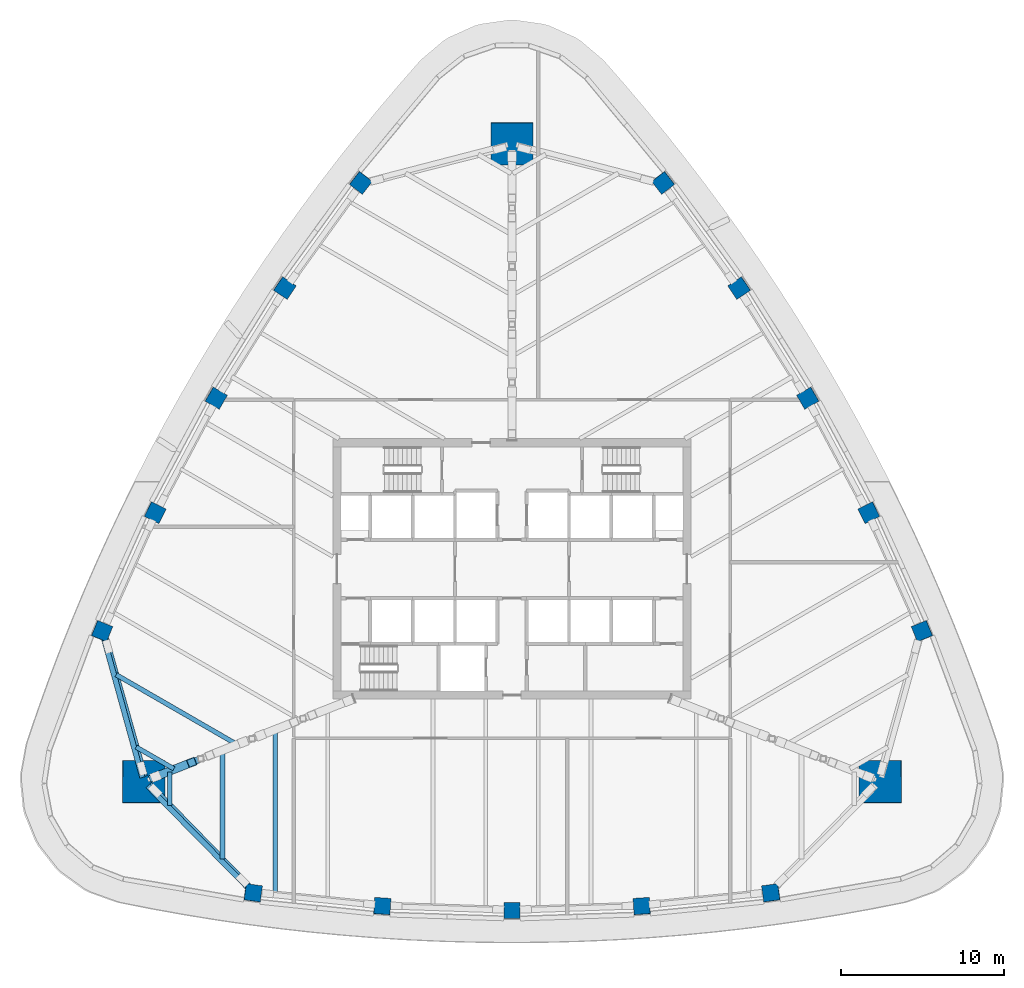
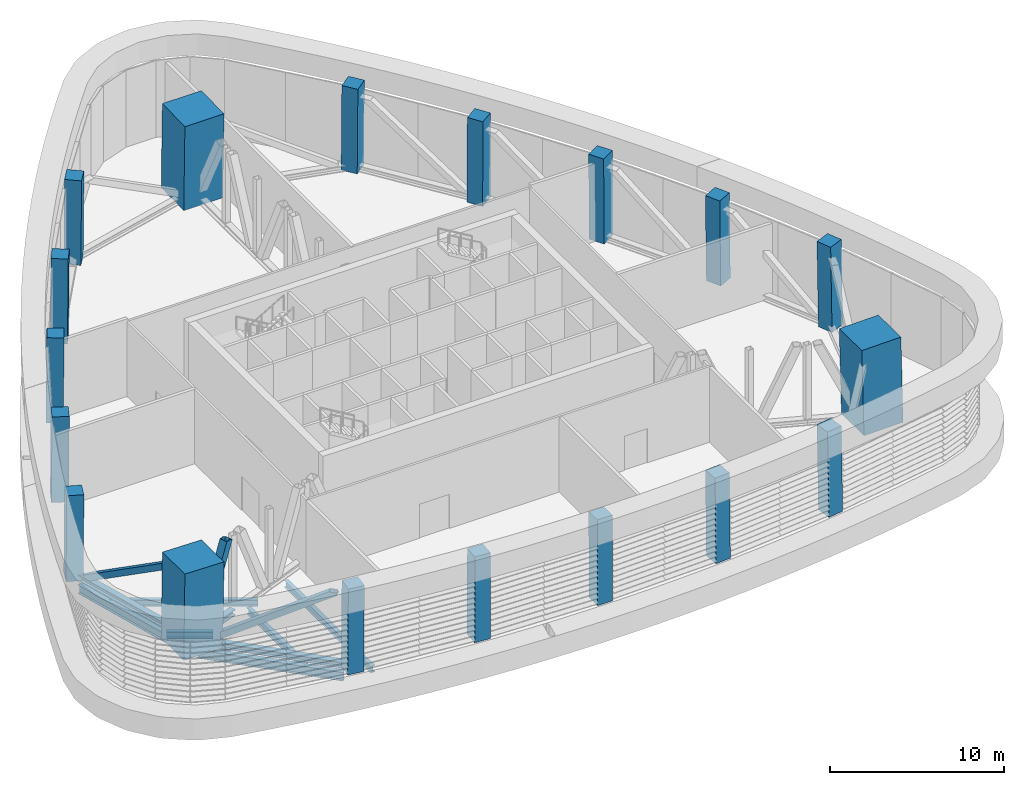
# One storey, part 1 of 18: 18 columns, 10 beams, 3 members.
"""IFC4 building model written with IfcOpenShell, lengths in metres."""

from ifc_helpers import new_model, si_unit, direction, frame, origin, origin_2d, place, context, subcontext, project, spatial, rectangle, hollow_rectangle, i_section, extrude, clip, halfspace, material, material_profile, profile_set, type_object, element, save


model = new_model("IFC4")

# Units and contexts
model_context = context("Model", 3, precision=1e-05, world=origin(), true_north=direction((0.0, 1.0)))
body_context = subcontext(model_context, "Body", "Model", "MODEL_VIEW")
ifc_project = project(units=[si_unit("LENGTHUNIT", "METRE"), si_unit("AREAUNIT", "SQUARE_METRE"), si_unit("VOLUMEUNIT", "CUBIC_METRE"), si_unit("PLANEANGLEUNIT", "RADIAN"), si_unit("MASSUNIT", "GRAM", prefix="KILO")], contexts=[model_context])

# Site, building, storey
site_placement = place(None, origin())
site = spatial("IfcSite", under=ifc_project, at=site_placement, CompositionType="ELEMENT")
building_placement = place(site_placement, origin())
building = spatial("IfcBuilding", under=site, at=building_placement, Name="Sierra Prisma Convention Tower", CompositionType="ELEMENT")
storey_placement = place(building_placement, frame((0.0, 0.0, 213.800048828125)))
storey = spatial("IfcBuildingStorey", under=building, at=storey_placement, Name="L48", CompositionType="ELEMENT", Elevation=213.800048828125)

# Columns
ifc_material_1 = material(Name="Concrete C60/75", Category="concrete")
ifc_material_profile_1 = material_profile(ifc_material_1, rectangle(XDim=2.60009765625, YDim=2.60009765625, at=origin_2d()), Name="Mega column RC 2600 C60/75")
ifc_profile_set_1 = profile_set([ifc_material_profile_1], Name="Concrete C60/75")
column_type_1 = type_object("IfcColumnType", Name="Mega column RC 2600 C60/75", PredefinedType="COLUMN", material=ifc_profile_set_1)
column_1_placement = place(storey_placement, frame((22.627685546875, -13.06396484375, 0.0), z_axis=(-0.018631757772, 0.01073970317, 0.999768731447), x_axis=(0.999826413735, 0.000200134289, 0.018630682863)))
element("IfcColumn", 1, at=column_1_placement, inside=storey, type_object=column_type_1, Name="Mega column SE L48", PredefinedType="COLUMN", context=body_context, shape_type="SweptSolid", body=[
    clip(clip(extrude(rectangle(XDim=2.60009765625, YDim=2.60009765625, at=origin_2d()), origin(), (0.0, 0.0, 1.0), 6.00146484375), halfspace(frame((0.0, 0.0, 0.009765625)), True)), halfspace(frame((0.0, 0.0, 5.998291015625)), False)),
])
column_2_placement = place(storey_placement, frame((0.0, 26.128173828125, 0.0), z_axis=(0.0, -0.021520080249, 0.999768416258), x_axis=(1.0, 0.0, 0.0)))
element("IfcColumn", 2, at=column_2_placement, inside=storey, type_object=column_type_1, Name="Mega column N L48", PredefinedType="COLUMN", context=body_context, shape_type="SweptSolid", body=[
    clip(clip(extrude(rectangle(XDim=2.60009765625, YDim=2.60009765625, at=origin_2d()), origin(), (0.0, 0.0, 1.0), 6.00146484375), halfspace(frame((0.0, 0.0, 0.00732421875)), True)), halfspace(frame((0.0, 0.0, 5.9990234375)), False)),
])
column_3_placement = place(storey_placement, frame((-22.627685546875, -13.06396484375, 0.0), z_axis=(0.018631757772, 0.01073970317, 0.999768731447), x_axis=(0.999826413735, -0.000200134289, -0.018630682863)))
element("IfcColumn", 3, at=column_3_placement, inside=storey, type_object=column_type_1, Name="Mega column SW L48", PredefinedType="COLUMN", context=body_context, shape_type="SweptSolid", body=[
    clip(clip(extrude(rectangle(XDim=2.60009765625, YDim=2.60009765625, at=origin_2d()), origin(), (0.0, 0.0, 1.0), 6.00146484375), halfspace(frame((0.0, 0.0, 0.009765625)), True)), halfspace(frame((0.0, 0.0, 5.998291015625)), False)),
])
ifc_material_2 = material(Name="Concrete C60/75", Category="concrete")
ifc_material_profile_2 = material_profile(ifc_material_2, rectangle(XDim=1.0, YDim=1.0, at=origin_2d()), Name="Perimeter column RC 1000 C60/75")
ifc_profile_set_2 = profile_set([ifc_material_profile_2], Name="Concrete C60/75")
column_type_2 = type_object("IfcColumnType", Name="Perimeter column RC 1000 C60/75", PredefinedType="COLUMN", material=ifc_profile_set_2)
column_4_placement = place(storey_placement, frame((-15.902587890625, -19.89697265625, 0.0), z_axis=(0.011717661814, 0.006957361702, 0.999907141449), x_axis=(-0.990698760026, 0.135654731655, 0.010665864411)))
element("IfcColumn", 4, at=column_4_placement, inside=storey, type_object=column_type_2, Name="Perimeter column S-1 L48", PredefinedType="COLUMN", context=body_context, shape_type="SweptSolid", body=[
    clip(clip(extrude(rectangle(XDim=1.0, YDim=1.0, at=origin_2d()), origin(), (0.0, 0.0, 1.0), 6.00048828125), halfspace(frame((0.0, 0.0, 0.002685546875)), True)), halfspace(frame((0.0, 0.0, 5.99951171875)), False)),
])
column_5_placement = place(storey_placement, frame((-7.9697265625, -20.708984375, 0.0), z_axis=(0.005859111992, 0.007445954823, 0.999955113274), x_axis=(-0.997671899691, 0.067987281987, 0.005339480833)))
element("IfcColumn", 5, at=column_5_placement, inside=storey, type_object=column_type_2, Name="Perimeter column S-2 L48", PredefinedType="COLUMN", context=body_context, shape_type="SweptSolid", body=[
    clip(clip(extrude(rectangle(XDim=1.0, YDim=1.0, at=origin_2d()), origin(), (0.0, 0.0, 1.0), 6.000244140625), halfspace(frame((0.0, 0.0, 0.001953125)), True)), halfspace(frame((0.0, 0.0, 5.99951171875)), False)),
])
column_6_placement = place(storey_placement, frame((0.0, -20.97998046875, 0.0), z_axis=(0.0, 0.007608829216, 0.99997105244), x_axis=(1.0, 0.0, 0.0)))
element("IfcColumn", 6, at=column_6_placement, inside=storey, type_object=column_type_2, Name="Perimeter column S-3 L48", PredefinedType="COLUMN", context=body_context, shape_type="SweptSolid", body=[
    clip(clip(extrude(rectangle(XDim=1.0, YDim=1.0, at=origin_2d()), origin(), (0.0, 0.0, 1.0), 6.000244140625), halfspace(frame((0.0, 0.0, 0.001220703125)), True)), halfspace(frame((0.0, 0.0, 5.99951171875)), False)),
])
column_7_placement = place(storey_placement, frame((7.9697265625, -20.708984375, 0.0), z_axis=(-0.005859111992, 0.007445954823, 0.999955113274), x_axis=(0.997671899691, 0.067987281987, 0.005339480833)))
element("IfcColumn", 7, at=column_7_placement, inside=storey, type_object=column_type_2, Name="Perimeter column S-4 L48", PredefinedType="COLUMN", context=body_context, shape_type="SweptSolid", body=[
    clip(clip(extrude(rectangle(XDim=1.0, YDim=1.0, at=origin_2d()), origin(), (0.0, 0.0, 1.0), 6.000244140625), halfspace(frame((0.0, 0.0, 0.001953125)), True)), halfspace(frame((0.0, 0.0, 5.99951171875)), False)),
])
for number, where, z_axis, x_axis, name in (
    (8, (15.902587890625, -19.89697265625, 0.0), (-0.011717661814, 0.006957361702, 0.999907141449), (0.990698760026, 0.135654731655, 0.010665864411), "Perimeter column S-5 L48"),
    (9, (25.1826171875, -3.823486328125, 0.0), (-0.011880410578, 0.006631873028, 0.999907432768), (-0.377943383982, 0.925767674495, -0.010630680301), "Perimeter column NE-1 L48"),
):
    element("IfcColumn", number, at=place(storey_placement, frame(where, z_axis=z_axis, x_axis=x_axis)), inside=storey, type_object=column_type_2, Name=name, PredefinedType="COLUMN", context=body_context, shape_type="SweptSolid", body=[
        clip(clip(extrude(rectangle(XDim=1.0, YDim=1.0, at=origin_2d()), origin(), (0.0, 0.0, 1.0), 6.00048828125), halfspace(frame((0.0, 0.0, 0.002685546875)), True)), halfspace(frame((0.0, 0.0, 5.99951171875)), False)),
    ])
column_8_placement = place(storey_placement, frame((21.919189453125, 3.452392578125, 0.0), z_axis=(-0.009358305185, 0.001383401636, 0.999955253161), x_axis=(-0.439982595299, 0.897990304012, -0.005360012502)))
element("IfcColumn", 10, at=column_8_placement, inside=storey, type_object=column_type_2, Name="Perimeter column NE-2 L48", PredefinedType="COLUMN", context=body_context, shape_type="SweptSolid", body=[
    clip(clip(extrude(rectangle(XDim=1.0, YDim=1.0, at=origin_2d()), origin(), (0.0, 0.0, 1.0), 6.000244140625), halfspace(frame((0.0, 0.0, 0.001953125)), True)), halfspace(frame((0.0, 0.0, 5.99951171875)), False)),
])
column_9_placement = place(storey_placement, frame((18.169189453125, 10.489990234375, 0.0), z_axis=(-0.006591605453, -0.00382475872, 0.999970960558), x_axis=(-0.499989137566, 0.866031674963, 1.6631558e-05)))
element("IfcColumn", 11, at=column_9_placement, inside=storey, type_object=column_type_2, Name="Perimeter column NE-3 L48", PredefinedType="COLUMN", context=body_context, shape_type="SweptSolid", body=[
    clip(clip(extrude(rectangle(XDim=1.0, YDim=1.0, at=origin_2d()), origin(), (0.0, 0.0, 1.0), 6.000244140625), halfspace(frame((0.0, 0.0, 0.001220703125)), True)), halfspace(frame((0.0, 0.0, 5.99951171875)), False)),
])
column_10_placement = place(storey_placement, frame((13.94970703125, 17.256591796875, 0.0), z_axis=(-0.003539878893, -0.008829353101, 0.999954754867), x_axis=(-0.557683667704, 0.830036296174, 0.00535479318)))
element("IfcColumn", 12, at=column_10_placement, inside=storey, type_object=column_type_2, Name="Perimeter column NE-4 L48", PredefinedType="COLUMN", context=body_context, shape_type="SweptSolid", body=[
    clip(clip(extrude(rectangle(XDim=1.0, YDim=1.0, at=origin_2d()), origin(), (0.0, 0.0, 1.0), 6.000244140625), halfspace(frame((0.0, 0.0, 0.001953125)), True)), halfspace(frame((0.0, 0.0, 5.99951171875)), False)),
])
for number, where, z_axis, x_axis, name in (
    (13, (9.280029296875, 23.720703125, 0.0), (-0.000162745295, -0.013629918492, 0.999907095102), (-0.612796713111, 0.790168535194, 0.010671194354), "Perimeter column NE-5 L48"),
    (14, (-9.280029296875, 23.720703125, 0.0), (0.000162745295, -0.013629918492, 0.999907095102), (0.612796713111, 0.790168535194, 0.010671194354), "Perimeter column NW-1 L48"),
):
    element("IfcColumn", number, at=place(storey_placement, frame(where, z_axis=z_axis, x_axis=x_axis)), inside=storey, type_object=column_type_2, Name=name, PredefinedType="COLUMN", context=body_context, shape_type="SweptSolid", body=[
        clip(clip(extrude(rectangle(XDim=1.0, YDim=1.0, at=origin_2d()), origin(), (0.0, 0.0, 1.0), 6.00048828125), halfspace(frame((0.0, 0.0, 0.002685546875)), True)), halfspace(frame((0.0, 0.0, 5.99951171875)), False)),
    ])
column_11_placement = place(storey_placement, frame((-13.94970703125, 17.256591796875, 0.0), z_axis=(0.003539878893, -0.008829353101, 0.999954754867), x_axis=(0.557683667704, 0.830036296174, 0.00535479318)))
element("IfcColumn", 15, at=column_11_placement, inside=storey, type_object=column_type_2, Name="Perimeter column NW-2 L48", PredefinedType="COLUMN", context=body_context, shape_type="SweptSolid", body=[
    clip(clip(extrude(rectangle(XDim=1.0, YDim=1.0, at=origin_2d()), origin(), (0.0, 0.0, 1.0), 6.000244140625), halfspace(frame((0.0, 0.0, 0.001953125)), True)), halfspace(frame((0.0, 0.0, 5.99951171875)), False)),
])
column_12_placement = place(storey_placement, frame((-18.169189453125, 10.489990234375, 0.0), z_axis=(0.006591605453, -0.00382475872, 0.999970960558), x_axis=(0.499989137566, 0.866031674963, 1.6631558e-05)))
element("IfcColumn", 16, at=column_12_placement, inside=storey, type_object=column_type_2, Name="Perimeter column NW-3 L48", PredefinedType="COLUMN", context=body_context, shape_type="SweptSolid", body=[
    clip(clip(extrude(rectangle(XDim=1.0, YDim=1.0, at=origin_2d()), origin(), (0.0, 0.0, 1.0), 6.000244140625), halfspace(frame((0.0, 0.0, 0.001220703125)), True)), halfspace(frame((0.0, 0.0, 5.99951171875)), False)),
])
column_13_placement = place(storey_placement, frame((-21.919189453125, 3.452392578125, 0.0), z_axis=(0.009358305185, 0.001383401636, 0.999955253161), x_axis=(0.439982595299, 0.897990304012, -0.005360012502)))
element("IfcColumn", 17, at=column_13_placement, inside=storey, type_object=column_type_2, Name="Perimeter column NW-4 L48", PredefinedType="COLUMN", context=body_context, shape_type="SweptSolid", body=[
    clip(clip(extrude(rectangle(XDim=1.0, YDim=1.0, at=origin_2d()), origin(), (0.0, 0.0, 1.0), 6.000244140625), halfspace(frame((0.0, 0.0, 0.001953125)), True)), halfspace(frame((0.0, 0.0, 5.99951171875)), False)),
])
column_14_placement = place(storey_placement, frame((-25.1826171875, -3.823486328125, 0.0), z_axis=(0.011880410578, 0.006631873028, 0.999907432768), x_axis=(0.377943383982, 0.925767674495, -0.010630680301)))
element("IfcColumn", 18, at=column_14_placement, inside=storey, type_object=column_type_2, Name="Perimeter column NW-5 L48", PredefinedType="COLUMN", context=body_context, shape_type="SweptSolid", body=[
    clip(clip(extrude(rectangle(XDim=1.0, YDim=1.0, at=origin_2d()), origin(), (0.0, 0.0, 1.0), 6.00048828125), halfspace(frame((0.0, 0.0, 0.002685546875)), True)), halfspace(frame((0.0, 0.0, 5.99951171875)), False)),
])

# Beams
ifc_material_3 = material(Name="Steel ASTM A992 Gr 50", Category="steel")
ifc_material_profile_3 = material_profile(ifc_material_3, i_section(OverallWidth=0.280029296875, OverallDepth=0.462890625, WebThickness=0.0107421875, FlangeThickness=0.017333984375, at=origin_2d()), Name="W460x113")
ifc_profile_set_3 = profile_set([ifc_material_profile_3], Name="Steel ASTM A992 Gr 50")
beam_type_1 = type_object("IfcBeamType", Name="Plant floor joist W460x113", PredefinedType="JOIST", material=ifc_profile_set_3)
beam_1_placement = place(storey_placement, frame((-21.01123046875, -14.524658203125, -0.4814453125), z_axis=(0.0, 1.0, 0.0), x_axis=(-1.0, 0.0, 0.0)))
element("IfcBeam", 19, at=beam_1_placement, inside=storey, type_object=beam_type_1, Name="Floor joist L48 S01", PredefinedType="JOIST", context=body_context, shape_type="SweptSolid", body=[
    extrude(i_section(OverallWidth=0.280029296875, OverallDepth=0.462890625, WebThickness=0.0107421875, FlangeThickness=0.017333984375, at=origin_2d()), origin(), (0.0, 0.0, 1.0), 2.044189453125),
])
beam_2_placement = place(storey_placement, frame((-17.77880859375, -17.80908203125, -0.4814453125), z_axis=(0.0, 1.0, 0.0), x_axis=(-1.0, 0.0, 0.0)))
element("IfcBeam", 20, at=beam_2_placement, inside=storey, type_object=beam_type_1, Name="Floor joist L48 S02", PredefinedType="JOIST", context=body_context, shape_type="SweptSolid", body=[
    extrude(i_section(OverallWidth=0.280029296875, OverallDepth=0.462890625, WebThickness=0.0107421875, FlangeThickness=0.017333984375, at=origin_2d()), origin(), (0.0, 0.0, 1.0), 6.604736328125),
])
beam_3_placement = place(storey_placement, frame((-14.54638671875, -19.92236328125, -0.4814453125), z_axis=(0.0, 1.0, 0.0), x_axis=(-1.0, 0.0, 0.0)))
element("IfcBeam", 21, at=beam_3_placement, inside=storey, type_object=beam_type_1, Name="Floor joist L48 S03", PredefinedType="JOIST", context=body_context, shape_type="SweptSolid", body=[
    extrude(i_section(OverallWidth=0.280029296875, OverallDepth=0.462890625, WebThickness=0.0107421875, FlangeThickness=0.017333984375, at=origin_2d()), origin(), (0.0, 0.0, 1.0), 9.994140625),
])
beam_4_placement = place(storey_placement, frame((-24.3125, -6.492431640625, -0.4814453125), z_axis=(0.866034993062, -0.499983390516, 0.0), x_axis=(0.499983390516, 0.866034993062, 0.0)))
element("IfcBeam", 22, at=beam_4_placement, inside=storey, type_object=beam_type_1, Name="Floor joist L48 NW13", PredefinedType="JOIST", context=body_context, shape_type="SweptSolid", body=[
    extrude(i_section(OverallWidth=0.280029296875, OverallDepth=0.462890625, WebThickness=0.0107421875, FlangeThickness=0.017333984375, at=origin_2d()), origin(), (0.0, 0.0, 1.0), 8.531005859375),
])
beam_5_placement = place(storey_placement, frame((-23.084228515625, -10.93408203125, -0.4814453125), z_axis=(0.866030807744, -0.499990639951, 0.0), x_axis=(0.499990639951, 0.866030807744, 0.0)))
element("IfcBeam", 23, at=beam_5_placement, inside=storey, type_object=beam_type_1, Name="Floor joist L48 NW14", PredefinedType="JOIST", context=body_context, shape_type="SweptSolid", body=[
    extrude(i_section(OverallWidth=0.280029296875, OverallDepth=0.462890625, WebThickness=0.0107421875, FlangeThickness=0.017333984375, at=origin_2d()), origin(), (0.0, 0.0, 1.0), 2.67919921875),
])
ifc_material_4 = material(Name="Steel ASTM A992 Gr 50", Category="steel")
ifc_material_profile_4 = material_profile(ifc_material_4, i_section(OverallWidth=0.324951171875, OverallDepth=0.615966796875, WebThickness=0.013916015625, FlangeThickness=0.021484375, at=origin_2d()), Name="W610x174")
ifc_profile_set_4 = profile_set([ifc_material_profile_4], Name="Steel ASTM A992 Gr 50")
beam_type_2 = type_object("IfcBeamType", Name="Spandrel beam W610x174", PredefinedType="BEAM", material=ifc_profile_set_4)
beam_6_placement = place(storey_placement, frame((-22.37158203125, -13.323974609375, -0.55810546875), z_axis=(0.70143674743, -0.712731709239, 0.0), x_axis=(0.712731709239, 0.70143674743, 0.0)))
element("IfcBeam", 24, at=beam_6_placement, inside=storey, type_object=beam_type_2, Name="Spandrel L48-01", PredefinedType="BEAM", context=body_context, shape_type="SweptSolid", body=[
    extrude(i_section(OverallWidth=0.324951171875, OverallDepth=0.615966796875, WebThickness=0.013916015625, FlangeThickness=0.021484375, at=origin_2d()), origin(), (0.0, 0.0, 1.0), 8.7109375),
])
beam_7_placement = place(storey_placement, frame((-25.046142578125, -4.316650390625, -0.55810546875), z_axis=(0.26649399375, -0.963836579144, 0.0), x_axis=(0.963836579144, 0.26649399375, 0.0)))
element("IfcBeam", 25, at=beam_7_placement, inside=storey, type_object=beam_type_2, Name="Spandrel L48-18", PredefinedType="BEAM", context=body_context, shape_type="SweptSolid", body=[
    extrude(i_section(OverallWidth=0.324951171875, OverallDepth=0.615966796875, WebThickness=0.013916015625, FlangeThickness=0.021484375, at=origin_2d()), origin(), (0.0, 0.0, 1.0), 8.8056640625),
])
ifc_material_5 = material(Name="Steel ASTM A992 Gr 50", Category="steel")
ifc_material_profile_5 = material_profile(ifc_material_5, i_section(OverallWidth=0.404052734375, OverallDepth=0.406982421875, WebThickness=0.027099609375, FlangeThickness=0.04443359375, at=origin_2d()), Name="W360x347")
ifc_profile_set_5 = profile_set([ifc_material_profile_5], Name="Steel ASTM A992 Gr 50")
beam_type_3 = type_object("IfcBeamType", Name="Truss chord W360x347", PredefinedType="BEAM", material=ifc_profile_set_5)
beam_8_placement = place(storey_placement, frame((-22.26220703125, -13.259521484375, 0.203369140625), z_axis=(0.698053005961, -0.716046088509, 0.0), x_axis=(0.716046088509, 0.698053005961, 0.0)))
element("IfcBeam", 26, at=beam_8_placement, inside=storey, type_object=beam_type_3, Name="Belt truss L48-01 bottom chord 1", PredefinedType="BEAM", context=body_context, shape_type="SweptSolid", body=[
    extrude(i_section(OverallWidth=0.404052734375, OverallDepth=0.406982421875, WebThickness=0.027099609375, FlangeThickness=0.04443359375, at=origin_2d()), origin(), (0.0, 0.0, 1.0), 8.697509765625),
])
beam_9_placement = place(storey_placement, frame((-24.971923828125, -4.2783203125, 0.203369140625), z_axis=(0.271072915842, -0.962558816019, 0.0), x_axis=(0.962558816019, 0.271072915842, 0.0)))
element("IfcBeam", 27, at=beam_9_placement, inside=storey, type_object=beam_type_3, Name="Belt truss L48-18 bottom chord 1", PredefinedType="BEAM", context=body_context, shape_type="SweptSolid", body=[
    extrude(i_section(OverallWidth=0.404052734375, OverallDepth=0.406982421875, WebThickness=0.027099609375, FlangeThickness=0.04443359375, at=origin_2d()), origin(), (0.0, 0.0, 1.0), 8.790283203125),
])
beam_10_placement = place(storey_placement, frame((-22.255859375, -12.897216796875, 0.203369140625), z_axis=(0.930669722047, 0.36586044944, 0.0), x_axis=(-0.36586044944, 0.930669722047, 0.0)))
element("IfcBeam", 28, at=beam_10_placement, inside=storey, type_object=beam_type_3, Name="Outrigger truss L48 SW bottom chord 1", PredefinedType="BEAM", context=body_context, shape_type="SweptSolid", body=[
    extrude(i_section(OverallWidth=0.404052734375, OverallDepth=0.406982421875, WebThickness=0.027099609375, FlangeThickness=0.04443359375, at=origin_2d()), origin(), (0.0, 0.0, 1.0), 3.3759765625),
])

# Members
ifc_material_6 = material(Name="Steel ASTM A500 Gr C", Category="steel")
ifc_material_profile_6 = material_profile(ifc_material_6, hollow_rectangle(XDim=0.406005859375, YDim=0.406005859375, WallThickness=0.01904296875, at=origin_2d()), Name="Truss diagonal HSS 406x406x19")
ifc_profile_set_6 = profile_set([ifc_material_profile_6], Name="Steel ASTM A500 Gr C")
member_type_1 = type_object("IfcMemberType", Name="Truss diagonal HSS 406x406x19", PredefinedType="BRACE", material=ifc_profile_set_6)
member_1_placement = place(storey_placement, frame((-21.911865234375, -13.618896484375, 0.406982421875), z_axis=(0.591295909802, -0.606564177146, 0.531459355035), x_axis=(0.716061600387, 0.698037093894, 0.0)))
element("IfcMember", 29, at=member_1_placement, inside=storey, type_object=member_type_1, Name="Belt truss L48-01 diagonal 1", PredefinedType="BRACE", context=body_context, shape_type="SweptSolid", body=[
    clip(clip(extrude(hollow_rectangle(XDim=0.406005859375, YDim=0.406005859375, WallThickness=0.01904296875, at=origin_2d()), origin(), (0.0, 0.0, 1.0), 9.082275390625), halfspace(frame((0.0, 0.0126953125, 0.0078125), z_axis=(0.0, 0.847083793934, 0.531459355035), x_axis=(1.0, 0.0, 0.0)), True)), halfspace(frame((0.0, -0.0126953125, 9.074462890625), z_axis=(0.0, -0.847083793934, -0.531459355035), x_axis=(1.0, 0.0, 0.0)), True)),
])
member_2_placement = place(storey_placement, frame((-24.835205078125, -4.764404296875, 0.406982421875), z_axis=(0.230379713881, -0.817927977233, 0.527180245733), x_axis=(0.962547362073, 0.271113584623, 0.0)))
element("IfcMember", 30, at=member_2_placement, inside=storey, type_object=member_type_1, Name="Belt truss L48-18 diagonal 1", PredefinedType="BRACE", context=body_context, shape_type="SweptSolid", body=[
    clip(clip(extrude(hollow_rectangle(XDim=0.406005859375, YDim=0.406005859375, WallThickness=0.01904296875, at=origin_2d()), origin(), (0.0, 0.0, 1.0), 9.156005859375), halfspace(frame((0.000244140625, 0.0126953125, 0.0078125), z_axis=(0.0, 0.849753486906, 0.527180245733), x_axis=(1.0, 0.0, 0.0)), True)), halfspace(frame((0.0, -0.0126953125, 9.148193359375), z_axis=(0.0, -0.849753486906, -0.527180245733), x_axis=(1.0, 0.0, 0.0)), True)),
])
ifc_material_7 = material(Name="Steel ASTM A572 Gr 50", Category="steel")
ifc_material_profile_7 = material_profile(ifc_material_7, hollow_rectangle(XDim=0.508056640625, YDim=0.508056640625, WallThickness=0.025390625, at=origin_2d()), Name="Truss diagonal HSS 508x508x25")
ifc_profile_set_7 = profile_set([ifc_material_profile_7], Name="Steel ASTM A572 Gr 50")
member_type_2 = type_object("IfcMemberType", Name="Truss diagonal HSS 508x508x25", PredefinedType="BRACE", material=ifc_profile_set_7)
member_3_placement = place(storey_placement, frame((-21.884033203125, -12.751220703125, 0.406982421875), z_axis=(0.387841853077, 0.152507304939, 0.909021572319), x_axis=(-0.365945166235, 0.930636414132, 0.0)))
element("IfcMember", 31, at=member_3_placement, inside=storey, type_object=member_type_2, Name="Outrigger truss L48 SW diagonal 1", PredefinedType="BRACE", context=body_context, shape_type="SweptSolid", body=[
    clip(clip(extrude(hollow_rectangle(XDim=0.508056640625, YDim=0.508056640625, WallThickness=0.025390625, at=origin_2d()), origin(), (0.0, 0.0, 1.0), 5.756591796875), halfspace(frame((0.0, 0.006103515625, 0.013427734375), z_axis=(0.0, 0.416749062456, 0.909021572319), x_axis=(1.0, 0.0, 0.0)), True)), halfspace(frame((0.0, 0.0, 5.756591796875), z_axis=(0.0, -0.416749062456, -0.909021572319), x_axis=(1.0, 0.0, 0.0)), True)),
])

save(model, "model.ifc")
